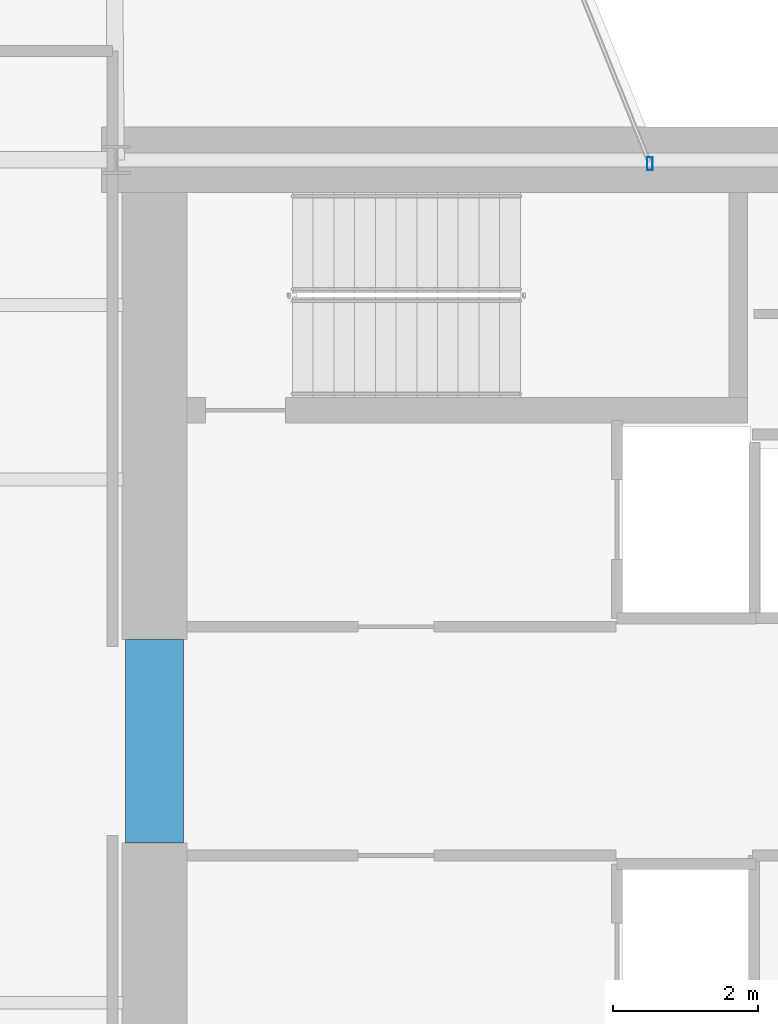
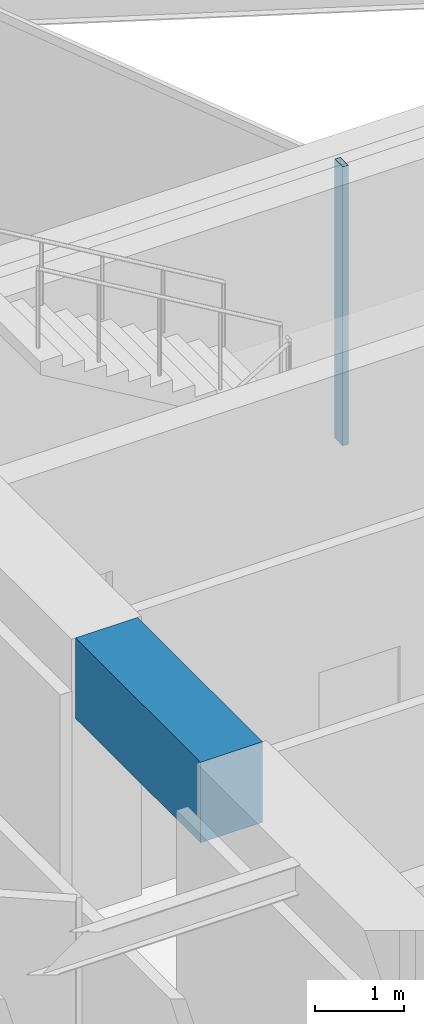
# One storey, part 17 of 29: 1 beam, 1 member, 1 element without a shape of its own.
"""IFC4 building model written with IfcOpenShell, lengths in metres."""

from ifc_helpers import new_model, si_unit, direction, frame, origin, origin_2d, place, context, subcontext, project, spatial, rectangle, hollow_rectangle, extrude, material, layer, layer_set, material_profile, profile_set, type_object, element, aggregate, save


model = new_model("IFC4")

# Units and contexts
model_context = context("Model", 3, precision=1e-05, world=origin(), true_north=direction((0.0, 1.0)))
body_context = subcontext(model_context, "Body", "Model", "MODEL_VIEW")
ifc_project = project(units=[si_unit("LENGTHUNIT", "METRE"), si_unit("AREAUNIT", "SQUARE_METRE"), si_unit("VOLUMEUNIT", "CUBIC_METRE"), si_unit("PLANEANGLEUNIT", "RADIAN"), si_unit("MASSUNIT", "GRAM", prefix="KILO")], contexts=[model_context])

# Site, building, storey
site_placement = place(None, origin())
site = spatial("IfcSite", under=ifc_project, at=site_placement, CompositionType="ELEMENT")
building_placement = place(site_placement, origin())
building = spatial("IfcBuilding", under=site, at=building_placement, Name="Veymaron Broadcast Tower", CompositionType="ELEMENT")
storey_placement = place(building_placement, frame((0.0, 0.0, 62.10009765625)))
storey = spatial("IfcBuildingStorey", under=building, at=storey_placement, Name="L13", CompositionType="ELEMENT", Elevation=62.10009765625)

# Beam
ifc_material_1 = material(Name="Concrete C70/85", Category="concrete")
ifc_material_profile_1 = material_profile(ifc_material_1, rectangle(XDim=0.800048828125, YDim=1.10009765625, at=origin_2d()), Name="RC800X1100")
ifc_profile_set_1 = profile_set([ifc_material_profile_1], Name="Concrete C70/85")
beam_type = type_object("IfcBeamType", Name="BM-CB1", PredefinedType="LINTEL", material=ifc_profile_set_1)
beam_placement = place(storey_placement, frame((39.530029296875, 22.60009765625, 3.260009765625), z_axis=(0.0, 1.0, 0.0), x_axis=(-1.0, 0.0, 0.0)))
element("IfcBeam", 1, at=beam_placement, inside=storey, type_object=beam_type, Name="L13 Core Wall west coupling beam", PredefinedType="LINTEL", context=body_context, shape_type="SweptSolid", body=[
    extrude(rectangle(XDim=0.800048828125, YDim=1.10009765625, at=origin_2d()), origin(), (0.0, 0.0, 1.0), 2.7998046875),
])

# Curtain wall, member
ifc_material_2 = material(Name="Anodised aluminium AA 6063-T6 and laminated low-E dark glass", Category="aluminium")
ifc_layer = layer(ifc_material_2, 0.179931640625)
ifc_layer_set = layer_set([ifc_layer], Name="Anodised aluminium AA 6063-T6 and laminated low-E dark glass")
curtain_wall_type = type_object("IfcCurtainWallType", Name="CW-SYS-02", PredefinedType="NOTDEFINED", material=ifc_layer_set)
curtain_wall_placement = place(storey_placement, origin())
curtain_wall = element("IfcCurtainWall", 2, at=curtain_wall_placement, inside=storey, type_object=curtain_wall_type, Name="L13 dark-glass curtain wall CW-L13-E5-1", PredefinedType="NOTDEFINED")
ifc_material_3 = material(Name="Anodised aluminium AA 6063-T6", Category="aluminium")
ifc_material_profile_2 = material_profile(ifc_material_3, hollow_rectangle(XDim=0.074951171875, YDim=0.179931640625, WallThickness=0.0048828125, at=origin_2d()), Name="AL180X75X5")
ifc_profile_set_2 = profile_set([ifc_material_profile_2], Name="Anodised aluminium AA 6063-T6")
member_type = type_object("IfcMemberType", Name="CW-MUL-02", PredefinedType="MULLION", material=ifc_profile_set_2)
member_placement = place(storey_placement, frame((46.346923828125, 31.947509765625, 0.0), z_axis=(0.0, 0.0, 1.0), x_axis=(1.0, 0.0, 0.0)))
member = element("IfcMember", 3, at=member_placement, type_object=member_type, Name="CW-L13-E5-1 mullion 0", PredefinedType="MULLION", context=body_context, shape_type="SweptSolid", body=[
    extrude(hollow_rectangle(XDim=0.074951171875, YDim=0.179931640625, WallThickness=0.0048828125, at=origin_2d()), origin(), (0.0, 0.0, 1.0), 3.809814453125),
])
aggregate(curtain_wall, [member])

save(model, "model.ifc")
